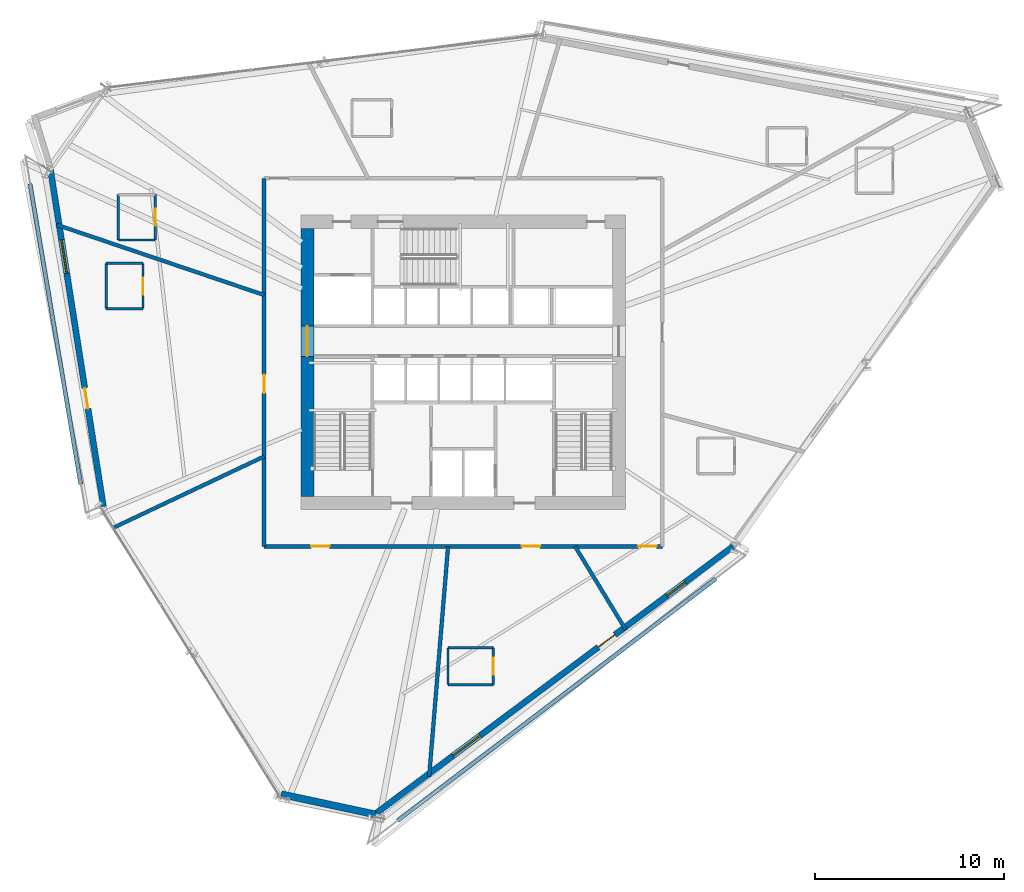
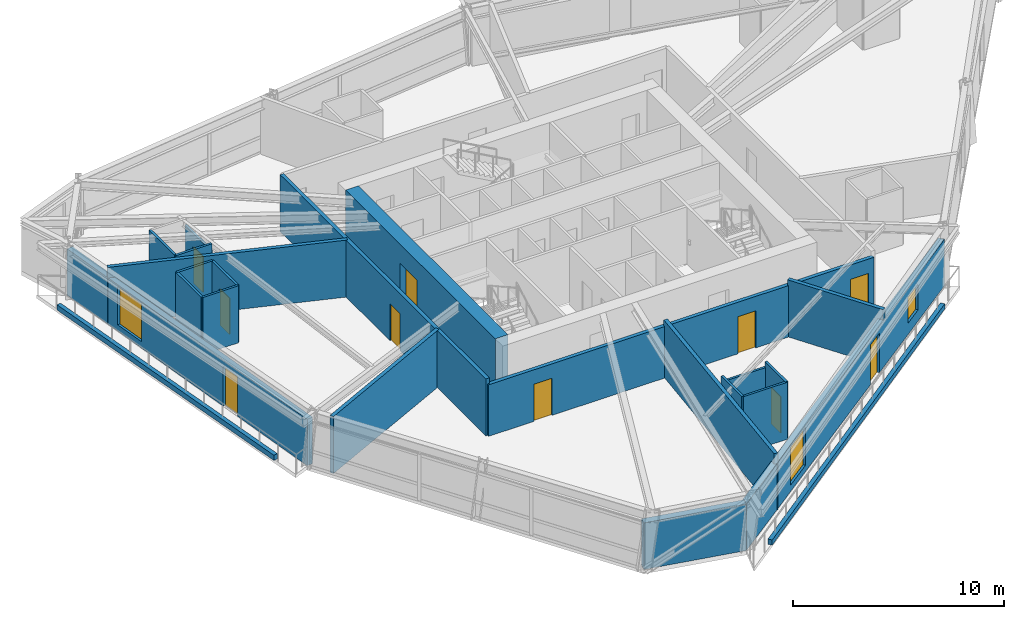
# One storey, part 12 of 18: 23 walls, 10 doors, 3 windows, 13 openings.
"""IFC4 building model written with IfcOpenShell, lengths in metres."""

from ifc_helpers import new_model, si_unit, direction, frame, frame_2d, origin, place, context, subcontext, project, spatial, rectangle, extrude, source, transform, mapped, material, layer, layer_set, type_object, type_shapes, element, fill, save


model = new_model("IFC4")

# Units and contexts
model_context = context("Model", 3, precision=1e-05, world=origin(), true_north=direction((0.0, 1.0)))
body_context = subcontext(model_context, "Body", "Model", "MODEL_VIEW")
ifc_project = project(units=[si_unit("LENGTHUNIT", "METRE"), si_unit("AREAUNIT", "SQUARE_METRE"), si_unit("VOLUMEUNIT", "CUBIC_METRE"), si_unit("PLANEANGLEUNIT", "RADIAN"), si_unit("MASSUNIT", "GRAM", prefix="KILO")], contexts=[model_context])

# Site, building, storey
site_placement = place(None, origin())
site = spatial("IfcSite", under=ifc_project, at=site_placement, CompositionType="ELEMENT")
building_placement = place(site_placement, origin())
building = spatial("IfcBuilding", under=site, at=building_placement, Name="Olszyna Solenne Hotel", CompositionType="ELEMENT")
storey_placement = place(building_placement, frame((0.0, 0.0, 123.449951171875)))
storey = spatial("IfcBuildingStorey", under=building, at=storey_placement, Name="L32", CompositionType="ELEMENT", Elevation=123.449951171875)

# Wall, opening, door
ifc_material_1 = material(Name="Concrete C60/75", Category="concrete")
ifc_layer_1 = layer(ifc_material_1, 0.699951171875, Name="Concrete C60/75")
ifc_layer_set_1 = layer_set([ifc_layer_1], Name="Concrete C60/75")
wall_type_1 = type_object("IfcWallType", Name="WL-CR700", PredefinedType="SHEAR", material=ifc_layer_set_1)
wall_1_placement = place(storey_placement, frame((29.75, 19.5, 0.0), z_axis=(0.0, 0.0, 1.0), x_axis=(0.0, 1.0, 0.0)))
wall_1 = element("IfcWall", 1, at=wall_1_placement, inside=storey, type_object=wall_type_1, Name="Core shear wall WL-CR700 CRW-L32-W", PredefinedType="SHEAR", context=body_context, shape_type="SweptSolid", body=[
    extrude(rectangle(XDim=14.199951171875, YDim=0.699951171875, at=frame_2d((7.10009765625, 0.0))), origin(), (0.0, 0.0, 1.0), 3.300048828125),
])
opening_1_placement = place(wall_1_placement, frame((7.419921875, 0.0, 0.0)))
opening_1 = element("IfcOpeningElement", 2, at=opening_1_placement, cuts=wall_1, Name="Opening LHD-L32-W", PredefinedType="OPENING", context=body_context, shape_type="SweptSolid", body=[
    extrude(rectangle(XDim=1.60009765625, YDim=2.199951171875, at=frame_2d((0.800048828125, 1.10009765625))), frame((0.0, 0.35986328125, 0.0), z_axis=(0.0, -1.0, 0.0), x_axis=(1.0, 0.0, 0.0)), (0.0, 0.0, 1.0), 0.719970703125),
])
ifc_material_2 = material(Name="Timber hardwood", Category="wood")
door_type_1 = type_object("IfcDoorType", Name="DR-CR1", OperationType="DOUBLE_DOOR_SINGLE_SWING", PredefinedType="DOOR", material=ifc_material_2)
shared_shape_1 = source(origin(), body_context, "Body", "SweptSolid", [
    extrude(rectangle(XDim=1.60009765625, YDim=2.199951171875, at=frame_2d((0.800048828125, 1.10009765625))), frame((0.0, 0.02490234375, 0.0), z_axis=(0.0, -1.0, 0.0), x_axis=(1.0, 0.0, 0.0)), (0.0, 0.0, 1.0), 0.050048828125),
])
type_shapes(door_type_1, [shared_shape_1])
door_1_placement = place(opening_1_placement, origin())
door_1 = element("IfcDoor", 3, at=door_1_placement, inside=storey, type_object=door_type_1, Name="Passenger lift lobby West fire door LHD-L32-W", OperationType="DOUBLE_DOOR_SINGLE_SWING", OverallHeight=2.199951171875, OverallWidth=1.60009765625, PredefinedType="DOOR", context=body_context, shape_type="MappedRepresentation", body=[
    mapped(shared_shape_1, transform((0.0, 0.0, 0.0), x_axis=(1.0, 0.0, 0.0), y_axis=(0.0, 1.0, 0.0), z_axis=(0.0, 0.0, 1.0), scale=1.0)),
])
fill(opening_1, door_1)

# Wall, openings, door, windows
ifc_material_3 = material(Name="Precast concrete C45/55", Category="concrete")
ifc_layer_2 = layer(ifc_material_3, 0.320068359375, Name="Precast concrete C45/55")
ifc_layer_set_2 = layer_set([ifc_layer_2], Name="Precast concrete C45/55")
wall_type_2 = type_object("IfcWallType", Name="WL-EX320", PredefinedType="SOLIDWALL", material=ifc_layer_set_2)
wall_2_placement = place(storey_placement, frame((52.3046875, 16.857421875, 0.0), z_axis=(0.0, 0.0, 1.0), x_axis=(-0.800901761672, -0.598795764974, 0.0)))
wall_2 = element("IfcWall", 4, at=wall_2_placement, inside=storey, type_object=wall_type_2, Name="Exterior terracotta-precast frame wall WL-EX320 EW-L32-01", PredefinedType="SOLIDWALL", context=body_context, shape_type="SweptSolid", body=[
    extrude(rectangle(XDim=23.82275390625, YDim=0.320068359375, at=frame_2d((11.911376953125, 0.0))), origin(), (0.0, 0.0, 1.0), 2.692138671875),
])
opening_2_placement = place(wall_2_placement, frame((7.822998046875, 0.0, 0.0)))
opening_2 = element("IfcOpeningElement", 5, at=opening_2_placement, cuts=wall_2, Name="Opening LDG-L32-3", PredefinedType="OPENING", context=body_context, shape_type="SweptSolid", body=[
    extrude(rectangle(XDim=1.10009765625, YDim=2.300048828125, at=frame_2d((0.550048828125, 1.14990234375))), frame((0.0, 0.169921875, 0.0), z_axis=(0.0, -1.0, 0.0), x_axis=(1.0, 0.0, 0.0)), (0.0, 0.0, 1.0), 0.340087890625),
])
opening_3_placement = place(wall_2_placement, frame((16.72900390625, 0.0, 0.3720703125)))
opening_3 = element("IfcOpeningElement", 6, at=opening_3_placement, cuts=wall_2, Name="Opening WN-L32-183", PredefinedType="OPENING", context=body_context, shape_type="SweptSolid", body=[
    extrude(rectangle(XDim=1.800048828125, YDim=2.199951171875, at=frame_2d((0.89990234375, 1.10009765625))), frame((0.0, 0.169921875, 0.0), z_axis=(0.0, -1.0, 0.0), x_axis=(1.0, 0.0, 0.0)), (0.0, 0.0, 1.0), 0.340087890625),
])
opening_4_placement = place(wall_2_placement, frame((3.177001953125, 0.0, 0.64990234375)))
opening_4 = element("IfcOpeningElement", 7, at=opening_4_placement, cuts=wall_2, Name="Opening WN-L32-189", PredefinedType="OPENING", context=body_context, shape_type="SweptSolid", body=[
    extrude(rectangle(XDim=1.199951171875, YDim=1.5, at=frame_2d((0.60009765625, 0.75))), frame((0.0, 0.169921875, 0.0), z_axis=(0.0, -1.0, 0.0), x_axis=(1.0, 0.0, 0.0)), (0.0, 0.0, 1.0), 0.340087890625),
])
ifc_material_4 = material(Name="Anodised bronze aluminium", Category="aluminium")
door_type_2 = type_object("IfcDoorType", Name="DR-LG1", OperationType="NOTDEFINED", PredefinedType="DOOR", material=ifc_material_4)
shared_shape_2 = source(origin(), body_context, "Body", "SweptSolid", [
    extrude(rectangle(XDim=1.10009765625, YDim=2.300048828125, at=frame_2d((0.550048828125, 1.14990234375))), frame((0.0, 0.02490234375, 0.0), z_axis=(0.0, -1.0, 0.0), x_axis=(1.0, 0.0, 0.0)), (0.0, 0.0, 1.0), 0.050048828125),
])
type_shapes(door_type_2, [shared_shape_2])
door_2_placement = place(opening_2_placement, origin())
door_2 = element("IfcDoor", 8, at=door_2_placement, inside=storey, type_object=door_type_2, Name="Exterior loggia balcony door DR-LG1 LDG-L32-3", OperationType="SINGLE_SWING_RIGHT", OverallHeight=2.300048828125, OverallWidth=1.10009765625, PredefinedType="DOOR", context=body_context, shape_type="MappedRepresentation", body=[
    mapped(shared_shape_2, transform((0.0, 0.0, 0.0), x_axis=(1.0, 0.0, 0.0), y_axis=(0.0, 1.0, 0.0), z_axis=(0.0, 0.0, 1.0), scale=1.0)),
])
fill(opening_2, door_2)
ifc_material_5 = material(Name="Low-E triple glazing", Category="glass")
window_type_1 = type_object("IfcWindowType", Name="WN-HT1", PartitioningType="SINGLE_PANEL", PredefinedType="WINDOW", material=ifc_material_5)
shared_shape_3 = source(origin(), body_context, "Body", "SweptSolid", [
    extrude(rectangle(XDim=1.800048828125, YDim=2.199951171875, at=frame_2d((0.89990234375, 1.10009765625))), frame((0.0, 0.030029296875, 0.0), z_axis=(0.0, -1.0, 0.0), x_axis=(1.0, 0.0, 0.0)), (0.0, 0.0, 1.0), 0.06005859375),
])
type_shapes(window_type_1, [shared_shape_3])
window_1_placement = place(opening_3_placement, origin())
window_1 = element("IfcWindow", 9, at=window_1_placement, inside=storey, type_object=window_type_1, Name="Loggia room window WN-HT1 WN-L32-183", OverallHeight=2.199951171875, OverallWidth=1.800048828125, PartitioningType="SINGLE_PANEL", PredefinedType="WINDOW", context=body_context, shape_type="MappedRepresentation", body=[
    mapped(shared_shape_3, transform((0.0, 0.0, 0.0), x_axis=(1.0, 0.0, 0.0), y_axis=(0.0, 1.0, 0.0), z_axis=(0.0, 0.0, 1.0), scale=1.0)),
])
fill(opening_3, window_1)
window_type_2 = type_object("IfcWindowType", Name="WN-B1", PartitioningType="SINGLE_PANEL", PredefinedType="WINDOW", material=ifc_material_5)
shared_shape_4 = source(origin(), body_context, "Body", "SweptSolid", [
    extrude(rectangle(XDim=1.199951171875, YDim=1.5, at=frame_2d((0.60009765625, 0.75))), frame((0.0, 0.030029296875, 0.0), z_axis=(0.0, -1.0, 0.0), x_axis=(1.0, 0.0, 0.0)), (0.0, 0.0, 1.0), 0.06005859375),
])
type_shapes(window_type_2, [shared_shape_4])
window_2_placement = place(opening_4_placement, origin())
window_2 = element("IfcWindow", 10, at=window_2_placement, inside=storey, type_object=window_type_2, Name="Exterior facade window WN-B1 WN-L32-189", OverallHeight=1.5, OverallWidth=1.199951171875, PartitioningType="SINGLE_PANEL", PredefinedType="WINDOW", context=body_context, shape_type="MappedRepresentation", body=[
    mapped(shared_shape_4, transform((0.0, 0.0, 0.0), x_axis=(1.0, 0.0, 0.0), y_axis=(0.0, 1.0, 0.0), z_axis=(0.0, 0.0, 1.0), scale=1.0)),
])
fill(opening_4, window_2)

# Wall, openings, door, window
wall_3_placement = place(storey_placement, frame((18.940673828125, 18.965087890625, 0.0), z_axis=(0.0, 0.0, 1.0), x_axis=(-0.155167584453, 0.987888162058, 0.0)))
wall_3 = element("IfcWall", 11, at=wall_3_placement, inside=storey, type_object=wall_type_2, Name="Exterior terracotta-precast frame wall WL-EX320 EW-L32-04", PredefinedType="SOLIDWALL", context=body_context, shape_type="SweptSolid", body=[
    extrude(rectangle(XDim=18.120849609375, YDim=0.320068359375, at=frame_2d((9.060546875, 0.0))), origin(), (0.0, 0.0, 1.0), 2.692138671875),
])
opening_5_placement = place(wall_3_placement, frame((5.2490234375, 0.0, 0.0)))
opening_5 = element("IfcOpeningElement", 12, at=opening_5_placement, cuts=wall_3, Name="Opening LDG-L32-2", PredefinedType="OPENING", context=body_context, shape_type="SweptSolid", body=[
    extrude(rectangle(XDim=1.10009765625, YDim=2.300048828125, at=frame_2d((0.550048828125, 1.14990234375))), frame((0.0, 0.169921875, 0.0), z_axis=(0.0, -1.0, 0.0), x_axis=(1.0, 0.0, 0.0)), (0.0, 0.0, 1.0), 0.340087890625),
])
opening_6_placement = place(wall_3_placement, frame((12.509033203125, 0.0, 0.3720703125)))
opening_6 = element("IfcOpeningElement", 13, at=opening_6_placement, cuts=wall_3, Name="Opening WN-L32-184", PredefinedType="OPENING", context=body_context, shape_type="SweptSolid", body=[
    extrude(rectangle(XDim=1.800048828125, YDim=2.199951171875, at=frame_2d((0.89990234375, 1.10009765625))), frame((0.0, 0.169921875, 0.0), z_axis=(0.0, -1.0, 0.0), x_axis=(1.0, 0.0, 0.0)), (0.0, 0.0, 1.0), 0.340087890625),
])
door_3_placement = place(opening_5_placement, origin())
door_3 = element("IfcDoor", 14, at=door_3_placement, inside=storey, type_object=door_type_2, Name="Exterior loggia balcony door DR-LG1 LDG-L32-2", OperationType="SINGLE_SWING_LEFT", OverallHeight=2.300048828125, OverallWidth=1.10009765625, PredefinedType="DOOR", context=body_context, shape_type="MappedRepresentation", body=[
    mapped(shared_shape_2, transform((0.0, 0.0, 0.0), x_axis=(1.0, 0.0, 0.0), y_axis=(0.0, 1.0, 0.0), z_axis=(0.0, 0.0, 1.0), scale=1.0)),
])
fill(opening_5, door_3)
window_3_placement = place(opening_6_placement, origin())
window_3 = element("IfcWindow", 15, at=window_3_placement, inside=storey, type_object=window_type_1, Name="Loggia room window WN-HT1 WN-L32-184", OverallHeight=2.199951171875, OverallWidth=1.800048828125, PartitioningType="SINGLE_PANEL", PredefinedType="WINDOW", context=body_context, shape_type="MappedRepresentation", body=[
    mapped(shared_shape_3, transform((0.0, 0.0, 0.0), x_axis=(1.0, 0.0, 0.0), y_axis=(0.0, 1.0, 0.0), z_axis=(0.0, 0.0, 1.0), scale=1.0)),
])
fill(opening_6, window_3)

# Walls
ifc_material_6 = material(Name="Terracotta cladding on precast concrete C45/55", Category="masonry")
ifc_layer_3 = layer(ifc_material_6, 0.3798828125, Name="Terracotta cladding on precast concrete C45/55")
ifc_layer_set_3 = layer_set([ifc_layer_3], Name="Terracotta cladding on precast concrete C45/55")
wall_type_3 = type_object("IfcWallType", Name="WL-EX380", PredefinedType="SOLIDWALL", material=ifc_layer_set_3)
wall_4_placement = place(storey_placement, frame((33.360595703125, 2.650146484375, 0.0), z_axis=(0.0, 0.0, 1.0), x_axis=(-0.977780031058, 0.209633515602, 0.0)))
element("IfcWall", 16, at=wall_4_placement, inside=storey, type_object=wall_type_3, Name="Exterior terracotta-precast frame wall WL-EX380 EW-L32-02", PredefinedType="SOLIDWALL", context=body_context, shape_type="SweptSolid", body=[
    extrude(rectangle(XDim=5.109130859375, YDim=0.3798828125, at=frame_2d((2.5546875, 0.0))), origin(), (0.0, 0.0, 1.0), 2.692138671875),
])
ifc_layer_4 = layer(ifc_material_3, 0.219970703125, Name="Precast concrete C45/55")
ifc_layer_set_4 = layer_set([ifc_layer_4], Name="Precast concrete C45/55")
wall_type_4 = type_object("IfcWallType", Name="WL-PR220", PredefinedType="PARAPET", material=ifc_layer_set_4)
wall_5_placement = place(storey_placement, frame((15.054931640625, 36.053466796875, 0.0), z_axis=(0.0, 0.0, 1.0), x_axis=(0.166510572337, -0.986039669232, 0.0)))
element("IfcWall", 17, at=wall_5_placement, inside=storey, type_object=wall_type_4, Name="Loggia balcony precast kerb PR-L32-LG2", PredefinedType="PARAPET", context=body_context, shape_type="SweptSolid", body=[
    extrude(rectangle(XDim=16.14013671875, YDim=0.219970703125, at=frame_2d((8.070068359375, 0.0))), origin(), (0.0, 0.0, 1.0), 0.300048828125),
])
wall_6_placement = place(storey_placement, frame((34.529296875, 2.323486328125, 0.0), z_axis=(0.0, 0.0, 1.0), x_axis=(0.795860822031, 0.605479604905, 0.0)))
element("IfcWall", 18, at=wall_6_placement, inside=storey, type_object=wall_type_4, Name="Loggia balcony precast kerb PR-L32-LG3", PredefinedType="PARAPET", context=body_context, shape_type="SweptSolid", body=[
    extrude(rectangle(XDim=21.174560546875, YDim=0.219970703125, at=frame_2d((10.58740234375, 0.0))), origin(), (0.0, 0.0, 1.0), 0.300048828125),
])

# Wall, opening, door
ifc_material_7 = material(Name="Acoustic gypsum partition", Category="gypsum")
ifc_layer_5 = layer(ifc_material_7, 0.125, Name="Acoustic gypsum partition")
ifc_layer_set_5 = layer_set([ifc_layer_5], Name="Acoustic gypsum partition")
wall_type_5 = type_object("IfcWallType", Name="WL-PT125", PredefinedType="PARTITIONING", material=ifc_layer_set_5)
wall_7_placement = place(storey_placement, frame((21.68701171875, 33.0830078125, 0.0), z_axis=(0.0, 0.0, 1.0), x_axis=(0.0, 1.0, 0.0)))
wall_7 = element("IfcWall", 19, at=wall_7_placement, inside=storey, type_object=wall_type_5, Name="Interior acoustic partition WL-PT125 PW-L32-1869", PredefinedType="PARTITIONING", context=body_context, shape_type="SweptSolid", body=[
    extrude(rectangle(XDim=2.39990234375, YDim=0.125, at=frame_2d((1.199951171875, 0.0))), origin(), (0.0, 0.0, 1.0), 2.925048828125),
])
opening_7_placement = place(wall_7_placement, frame((0.75, 0.0, 0.0)))
opening_7 = element("IfcOpeningElement", 20, at=opening_7_placement, cuts=wall_7, Name="Opening DR-L32-0445", PredefinedType="OPENING", context=body_context, shape_type="SweptSolid", body=[
    extrude(rectangle(XDim=0.89990234375, YDim=2.10009765625, at=frame_2d((0.449951171875, 1.050048828125))), frame((0.0, 0.072509765625, 0.0), z_axis=(0.0, -1.0, 0.0), x_axis=(1.0, 0.0, 0.0)), (0.0, 0.0, 1.0), 0.14501953125),
])
door_type_3 = type_object("IfcDoorType", Name="DR-WC1", OperationType="NOTDEFINED", PredefinedType="DOOR", material=ifc_material_2)
shared_shape_5 = source(origin(), body_context, "Body", "SweptSolid", [
    extrude(rectangle(XDim=0.89990234375, YDim=2.10009765625, at=frame_2d((0.449951171875, 1.050048828125))), frame((0.0, 0.02490234375, 0.0), z_axis=(0.0, -1.0, 0.0), x_axis=(1.0, 0.0, 0.0)), (0.0, 0.0, 1.0), 0.050048828125),
])
type_shapes(door_type_3, [shared_shape_5])
door_4_placement = place(opening_7_placement, origin())
door_4 = element("IfcDoor", 21, at=door_4_placement, inside=storey, type_object=door_type_3, Name="En-Suite Bathroom Door DR-L32-0445", OperationType="SINGLE_SWING_LEFT", OverallHeight=2.10009765625, OverallWidth=0.89990234375, PredefinedType="DOOR", context=body_context, shape_type="MappedRepresentation", body=[
    mapped(shared_shape_5, transform((0.0, 0.0, 0.0), x_axis=(1.0, 0.0, 0.0), y_axis=(0.0, 1.0, 0.0), z_axis=(0.0, 0.0, 1.0), scale=1.0)),
])
fill(opening_7, door_4)

# Walls
wall_8_placement = place(storey_placement, frame((19.737060546875, 35.48291015625, 0.0), z_axis=(0.0, 0.0, 1.0), x_axis=(0.0, -1.0, 0.0)))
element("IfcWall", 22, at=wall_8_placement, inside=storey, type_object=wall_type_5, Name="Interior acoustic partition WL-PT125 PW-L32-1871", PredefinedType="PARTITIONING", context=body_context, shape_type="SweptSolid", body=[
    extrude(rectangle(XDim=2.39990234375, YDim=0.125, at=frame_2d((1.199951171875, 0.0))), origin(), (0.0, 0.0, 1.0), 3.300048828125),
])
wall_9_placement = place(storey_placement, frame((19.737060546875, 33.0830078125, 0.0), z_axis=(0.0, 0.0, 1.0), x_axis=(1.0, 0.0, 0.0)))
element("IfcWall", 23, at=wall_9_placement, inside=storey, type_object=wall_type_5, Name="Interior acoustic partition WL-PT125 PW-L32-1872", PredefinedType="PARTITIONING", context=body_context, shape_type="SweptSolid", body=[
    extrude(rectangle(XDim=1.949951171875, YDim=0.125, at=frame_2d((0.97509765625, 0.0))), origin(), (0.0, 0.0, 1.0), 3.300048828125),
])

# Wall, opening, door
wall_10_placement = place(storey_placement, frame((21.0400390625, 29.443115234375, 0.0), z_axis=(0.0, 0.0, 1.0), x_axis=(0.0, 1.0, 0.0)))
wall_10 = element("IfcWall", 24, at=wall_10_placement, inside=storey, type_object=wall_type_5, Name="Interior acoustic partition WL-PT125 PW-L32-1873", PredefinedType="PARTITIONING", context=body_context, shape_type="SweptSolid", body=[
    extrude(rectangle(XDim=2.39990234375, YDim=0.125, at=frame_2d((1.199951171875, 0.0))), origin(), (0.0, 0.0, 1.0), 3.300048828125),
])
opening_8_placement = place(wall_10_placement, frame((0.75, 0.0, 0.0)))
opening_8 = element("IfcOpeningElement", 25, at=opening_8_placement, cuts=wall_10, Name="Opening DR-L32-0446", PredefinedType="OPENING", context=body_context, shape_type="SweptSolid", body=[
    extrude(rectangle(XDim=0.89990234375, YDim=2.10009765625, at=frame_2d((0.449951171875, 1.050048828125))), frame((0.0, 0.072509765625, 0.0), z_axis=(0.0, -1.0, 0.0), x_axis=(1.0, 0.0, 0.0)), (0.0, 0.0, 1.0), 0.14501953125),
])
door_5_placement = place(opening_8_placement, origin())
door_5 = element("IfcDoor", 26, at=door_5_placement, inside=storey, type_object=door_type_3, Name="En-Suite Bathroom Door DR-L32-0446", OperationType="SINGLE_SWING_LEFT", OverallHeight=2.10009765625, OverallWidth=0.89990234375, PredefinedType="DOOR", context=body_context, shape_type="MappedRepresentation", body=[
    mapped(shared_shape_5, transform((0.0, 0.0, 0.0), x_axis=(1.0, 0.0, 0.0), y_axis=(0.0, 1.0, 0.0), z_axis=(0.0, 0.0, 1.0), scale=1.0)),
])
fill(opening_8, door_5)

# Walls
wall_11_placement = place(storey_placement, frame((21.0400390625, 31.843017578125, 0.0), z_axis=(0.0, 0.0, 1.0), x_axis=(-1.0, 0.0, 0.0)))
element("IfcWall", 27, at=wall_11_placement, inside=storey, type_object=wall_type_5, Name="Interior acoustic partition WL-PT125 PW-L32-1874", PredefinedType="PARTITIONING", context=body_context, shape_type="SweptSolid", body=[
    extrude(rectangle(XDim=1.949951171875, YDim=0.125, at=frame_2d((0.97509765625, 0.0))), origin(), (0.0, 0.0, 1.0), 3.300048828125),
])
wall_12_placement = place(storey_placement, frame((19.090087890625, 31.843017578125, 0.0), z_axis=(0.0, 0.0, 1.0), x_axis=(0.0, -1.0, 0.0)))
element("IfcWall", 28, at=wall_12_placement, inside=storey, type_object=wall_type_5, Name="Interior acoustic partition WL-PT125 PW-L32-1875", PredefinedType="PARTITIONING", context=body_context, shape_type="SweptSolid", body=[
    extrude(rectangle(XDim=2.39990234375, YDim=0.125, at=frame_2d((1.199951171875, 0.0))), origin(), (0.0, 0.0, 1.0), 3.300048828125),
])
wall_13_placement = place(storey_placement, frame((19.090087890625, 29.443115234375, 0.0), z_axis=(0.0, 0.0, 1.0), x_axis=(1.0, 0.0, 0.0)))
element("IfcWall", 29, at=wall_13_placement, inside=storey, type_object=wall_type_5, Name="Interior acoustic partition WL-PT125 PW-L32-1876", PredefinedType="PARTITIONING", context=body_context, shape_type="SweptSolid", body=[
    extrude(rectangle(XDim=1.949951171875, YDim=0.125, at=frame_2d((0.97509765625, 0.0))), origin(), (0.0, 0.0, 1.0), 3.300048828125),
])

# Wall, opening, door
wall_14_placement = place(storey_placement, frame((39.594970703125, 9.528076171875, 0.0), z_axis=(0.0, 0.0, 1.0), x_axis=(0.0, 1.0, 0.0)))
wall_14 = element("IfcWall", 30, at=wall_14_placement, inside=storey, type_object=wall_type_5, Name="Interior acoustic partition WL-PT125 PW-L32-1877", PredefinedType="PARTITIONING", context=body_context, shape_type="SweptSolid", body=[
    extrude(rectangle(XDim=1.949951171875, YDim=0.125, at=frame_2d((0.97509765625, 0.0))), origin(), (0.0, 0.0, 1.0), 3.300048828125),
])
opening_9_placement = place(wall_14_placement, frame((0.52490234375, 0.0, 0.0)))
opening_9 = element("IfcOpeningElement", 31, at=opening_9_placement, cuts=wall_14, Name="Opening DR-L32-0447", PredefinedType="OPENING", context=body_context, shape_type="SweptSolid", body=[
    extrude(rectangle(XDim=0.89990234375, YDim=2.10009765625, at=frame_2d((0.449951171875, 1.050048828125))), frame((0.0, 0.072509765625, 0.0), z_axis=(0.0, -1.0, 0.0), x_axis=(1.0, 0.0, 0.0)), (0.0, 0.0, 1.0), 0.14501953125),
])
door_6_placement = place(opening_9_placement, origin())
door_6 = element("IfcDoor", 32, at=door_6_placement, inside=storey, type_object=door_type_3, Name="En-Suite Bathroom Door DR-L32-0447", OperationType="SINGLE_SWING_LEFT", OverallHeight=2.10009765625, OverallWidth=0.89990234375, PredefinedType="DOOR", context=body_context, shape_type="MappedRepresentation", body=[
    mapped(shared_shape_5, transform((0.0, 0.0, 0.0), x_axis=(1.0, 0.0, 0.0), y_axis=(0.0, 1.0, 0.0), z_axis=(0.0, 0.0, 1.0), scale=1.0)),
])
fill(opening_9, door_6)

# Walls
wall_15_placement = place(storey_placement, frame((39.594970703125, 11.47802734375, 0.0), z_axis=(0.0, 0.0, 1.0), x_axis=(-1.0, 0.0, 0.0)))
element("IfcWall", 33, at=wall_15_placement, inside=storey, type_object=wall_type_5, Name="Interior acoustic partition WL-PT125 PW-L32-1878", PredefinedType="PARTITIONING", context=body_context, shape_type="SweptSolid", body=[
    extrude(rectangle(XDim=2.39990234375, YDim=0.125, at=frame_2d((1.199951171875, 0.0))), origin(), (0.0, 0.0, 1.0), 2.985107421875),
])
wall_16_placement = place(storey_placement, frame((37.195068359375, 11.47802734375, 0.0), z_axis=(0.0, 0.0, 1.0), x_axis=(0.0, -1.0, 0.0)))
element("IfcWall", 34, at=wall_16_placement, inside=storey, type_object=wall_type_5, Name="Interior acoustic partition WL-PT125 PW-L32-1879", PredefinedType="PARTITIONING", context=body_context, shape_type="SweptSolid", body=[
    extrude(rectangle(XDim=1.949951171875, YDim=0.125, at=frame_2d((0.97509765625, 0.0))), origin(), (0.0, 0.0, 1.0), 3.300048828125),
])
wall_17_placement = place(storey_placement, frame((37.195068359375, 9.528076171875, 0.0), z_axis=(0.0, 0.0, 1.0), x_axis=(1.0, 0.0, 0.0)))
element("IfcWall", 35, at=wall_17_placement, inside=storey, type_object=wall_type_5, Name="Interior acoustic partition WL-PT125 PW-L32-1880", PredefinedType="PARTITIONING", context=body_context, shape_type="SweptSolid", body=[
    extrude(rectangle(XDim=2.39990234375, YDim=0.125, at=frame_2d((1.199951171875, 0.0))), origin(), (0.0, 0.0, 1.0), 3.300048828125),
])
ifc_layer_6 = layer(ifc_material_7, 0.199951171875, Name="Acoustic gypsum partition")
ifc_layer_set_6 = layer_set([ifc_layer_6], Name="Acoustic gypsum partition")
wall_type_6 = type_object("IfcWallType", Name="WL-PT200", PredefinedType="PARTITIONING", material=ifc_layer_set_6)
wall_18_placement = place(storey_placement, frame((43.927978515625, 16.85009765625, 0.0), z_axis=(0.0, 0.0, 1.0), x_axis=(0.519520898973, -0.85445774356, 0.0)))
element("IfcWall", 36, at=wall_18_placement, inside=storey, type_object=wall_type_6, Name="Interior acoustic partition WL-PT200 PW-L32-1845", PredefinedType="PARTITIONING", context=body_context, shape_type="SweptSolid", body=[
    extrude(rectangle(XDim=5.16357421875, YDim=0.199951171875, at=frame_2d((2.581787109375, 0.0))), origin(), (0.0, 0.0, 1.0), 3.300048828125),
])
wall_19_placement = place(storey_placement, frame((27.449951171875, 30.1708984375, 0.0), z_axis=(0.0, 0.0, 1.0), x_axis=(-0.947210068389, 0.320613609103, 0.0)))
element("IfcWall", 37, at=wall_19_placement, inside=storey, type_object=wall_type_6, Name="Interior acoustic partition WL-PT200 PW-L32-1850", PredefinedType="PARTITIONING", context=body_context, shape_type="SweptSolid", body=[
    extrude(rectangle(XDim=11.597412109375, YDim=0.199951171875, at=frame_2d((5.798828125, 0.0))), origin(), (0.0, 0.0, 1.0), 3.300048828125),
])
wall_20_placement = place(storey_placement, frame((27.449951171875, 21.613037109375, 0.0), z_axis=(0.0, 0.0, 1.0), x_axis=(-0.904088828609, -0.427344579917, 0.0)))
element("IfcWall", 38, at=wall_20_placement, inside=storey, type_object=wall_type_6, Name="Interior acoustic partition WL-PT200 PW-L32-1851", PredefinedType="PARTITIONING", context=body_context, shape_type="SweptSolid", body=[
    extrude(rectangle(XDim=8.802001953125, YDim=0.199951171875, at=frame_2d((4.40087890625, 0.0))), origin(), (0.0, 0.0, 1.0), 3.300048828125),
])
wall_21_placement = place(storey_placement, frame((37.198486328125, 16.85009765625, 0.0), z_axis=(0.0, 0.0, 1.0), x_axis=(-0.08193618257, -0.996637578052, 0.0)))
element("IfcWall", 39, at=wall_21_placement, inside=storey, type_object=wall_type_6, Name="Interior acoustic partition WL-PT200 PW-L32-1852", PredefinedType="PARTITIONING", context=body_context, shape_type="SweptSolid", body=[
    extrude(rectangle(XDim=12.240478515625, YDim=0.199951171875, at=frame_2d((6.1201171875, 0.0))), origin(), (0.0, 0.0, 1.0), 3.300048828125),
])

# Wall, openings, doors
wall_22_placement = place(storey_placement, frame((27.449951171875, 16.85009765625, 0.0), z_axis=(0.0, 0.0, 1.0), x_axis=(1.0, 0.0, 0.0)))
wall_22 = element("IfcWall", 40, at=wall_22_placement, inside=storey, type_object=wall_type_6, Name="Interior acoustic partition WL-PT200 PW-L32-1881", PredefinedType="PARTITIONING", context=body_context, shape_type="SweptSolid", body=[
    extrude(rectangle(XDim=21.10009765625, YDim=0.199951171875, at=frame_2d((10.550048828125, 0.0))), origin(), (0.0, 0.0, 1.0), 2.985107421875),
])
opening_10_placement = place(wall_22_placement, frame((19.820068359375, 0.0, 0.0)))
opening_10 = element("IfcOpeningElement", 41, at=opening_10_placement, cuts=wall_22, Name="Opening DR-L32-0448", PredefinedType="OPENING", context=body_context, shape_type="SweptSolid", body=[
    extrude(rectangle(XDim=0.97998046875, YDim=2.14990234375, at=frame_2d((0.489990234375, 1.074951171875))), frame((0.0, 0.10986328125, 0.0), z_axis=(0.0, -1.0, 0.0), x_axis=(1.0, 0.0, 0.0)), (0.0, 0.0, 1.0), 0.219970703125),
])
opening_11_placement = place(wall_22_placement, frame((2.493896484375, 0.0, 0.0)))
opening_11 = element("IfcOpeningElement", 42, at=opening_11_placement, cuts=wall_22, Name="Opening DR-L32-0449", PredefinedType="OPENING", context=body_context, shape_type="SweptSolid", body=[
    extrude(rectangle(XDim=0.97998046875, YDim=2.14990234375, at=frame_2d((0.489990234375, 1.074951171875))), frame((0.0, 0.10986328125, 0.0), z_axis=(0.0, -1.0, 0.0), x_axis=(1.0, 0.0, 0.0)), (0.0, 0.0, 1.0), 0.219970703125),
])
opening_12_placement = place(wall_22_placement, frame((13.64990234375, 0.0, 0.0)))
opening_12 = element("IfcOpeningElement", 43, at=opening_12_placement, cuts=wall_22, Name="Opening DR-L32-0450", PredefinedType="OPENING", context=body_context, shape_type="SweptSolid", body=[
    extrude(rectangle(XDim=0.97998046875, YDim=2.14990234375, at=frame_2d((0.489990234375, 1.074951171875))), frame((0.0, 0.10986328125, 0.0), z_axis=(0.0, -1.0, 0.0), x_axis=(1.0, 0.0, 0.0)), (0.0, 0.0, 1.0), 0.219970703125),
])
door_type_4 = type_object("IfcDoorType", Name="DR-RM1", OperationType="NOTDEFINED", PredefinedType="DOOR", material=ifc_material_2)
shared_shape_6 = source(origin(), body_context, "Body", "SweptSolid", [
    extrude(rectangle(XDim=0.97998046875, YDim=2.14990234375, at=frame_2d((0.489990234375, 1.074951171875))), frame((0.0, 0.02490234375, 0.0), z_axis=(0.0, -1.0, 0.0), x_axis=(1.0, 0.0, 0.0)), (0.0, 0.0, 1.0), 0.050048828125),
])
type_shapes(door_type_4, [shared_shape_6])
door_7_placement = place(opening_10_placement, origin())
door_7 = element("IfcDoor", 44, at=door_7_placement, inside=storey, type_object=door_type_4, Name="Premier King Suite Entrance Door DR-L32-0448", OperationType="SINGLE_SWING_LEFT", OverallHeight=2.14990234375, OverallWidth=0.97998046875, PredefinedType="DOOR", context=body_context, shape_type="MappedRepresentation", body=[
    mapped(shared_shape_6, transform((0.0, 0.0, 0.0), x_axis=(1.0, 0.0, 0.0), y_axis=(0.0, 1.0, 0.0), z_axis=(0.0, 0.0, 1.0), scale=1.0)),
])
fill(opening_10, door_7)
door_8_placement = place(opening_11_placement, origin())
door_8 = element("IfcDoor", 45, at=door_8_placement, inside=storey, type_object=door_type_4, Name="Conference Boardroom Entrance Door DR-L32-0449", OperationType="SINGLE_SWING_LEFT", OverallHeight=2.14990234375, OverallWidth=0.97998046875, PredefinedType="DOOR", context=body_context, shape_type="MappedRepresentation", body=[
    mapped(shared_shape_6, transform((0.0, 0.0, 0.0), x_axis=(1.0, 0.0, 0.0), y_axis=(0.0, 1.0, 0.0), z_axis=(0.0, 0.0, 1.0), scale=1.0)),
])
fill(opening_11, door_8)
door_9_placement = place(opening_12_placement, origin())
door_9 = element("IfcDoor", 46, at=door_9_placement, inside=storey, type_object=door_type_4, Name="Executive Reading Salon Entrance Door DR-L32-0450", OperationType="SINGLE_SWING_RIGHT", OverallHeight=2.14990234375, OverallWidth=0.97998046875, PredefinedType="DOOR", context=body_context, shape_type="MappedRepresentation", body=[
    mapped(shared_shape_6, transform((0.0, 0.0, 0.0), x_axis=(1.0, 0.0, 0.0), y_axis=(0.0, 1.0, 0.0), z_axis=(0.0, 0.0, 1.0), scale=1.0)),
])
fill(opening_12, door_9)

# Wall, opening, door
wall_23_placement = place(storey_placement, frame((27.449951171875, 16.85009765625, 0.0), z_axis=(0.0, 0.0, 1.0), x_axis=(0.0, 1.0, 0.0)))
wall_23 = element("IfcWall", 47, at=wall_23_placement, inside=storey, type_object=wall_type_6, Name="Interior acoustic partition WL-PT200 PW-L32-1882", PredefinedType="PARTITIONING", context=body_context, shape_type="SweptSolid", body=[
    extrude(rectangle(XDim=19.5, YDim=0.199951171875, at=frame_2d((9.75, 0.0))), origin(), (0.0, 0.0, 1.0), 3.300048828125),
])
opening_13_placement = place(wall_23_placement, frame((8.1240234375, 0.0, 0.0)))
opening_13 = element("IfcOpeningElement", 48, at=opening_13_placement, cuts=wall_23, Name="Opening DR-L32-0451", PredefinedType="OPENING", context=body_context, shape_type="SweptSolid", body=[
    extrude(rectangle(XDim=0.97998046875, YDim=2.14990234375, at=frame_2d((0.489990234375, 1.074951171875))), frame((0.0, 0.10986328125, 0.0), z_axis=(0.0, -1.0, 0.0), x_axis=(1.0, 0.0, 0.0)), (0.0, 0.0, 1.0), 0.219970703125),
])
door_10_placement = place(opening_13_placement, origin())
door_10 = element("IfcDoor", 49, at=door_10_placement, inside=storey, type_object=door_type_4, Name="Premier King Suite Entrance Door DR-L32-0451", OperationType="SINGLE_SWING_RIGHT", OverallHeight=2.14990234375, OverallWidth=0.97998046875, PredefinedType="DOOR", context=body_context, shape_type="MappedRepresentation", body=[
    mapped(shared_shape_6, transform((0.0, 0.0, 0.0), x_axis=(1.0, 0.0, 0.0), y_axis=(0.0, 1.0, 0.0), z_axis=(0.0, 0.0, 1.0), scale=1.0)),
])
fill(opening_13, door_10)

save(model, "model.ifc")
